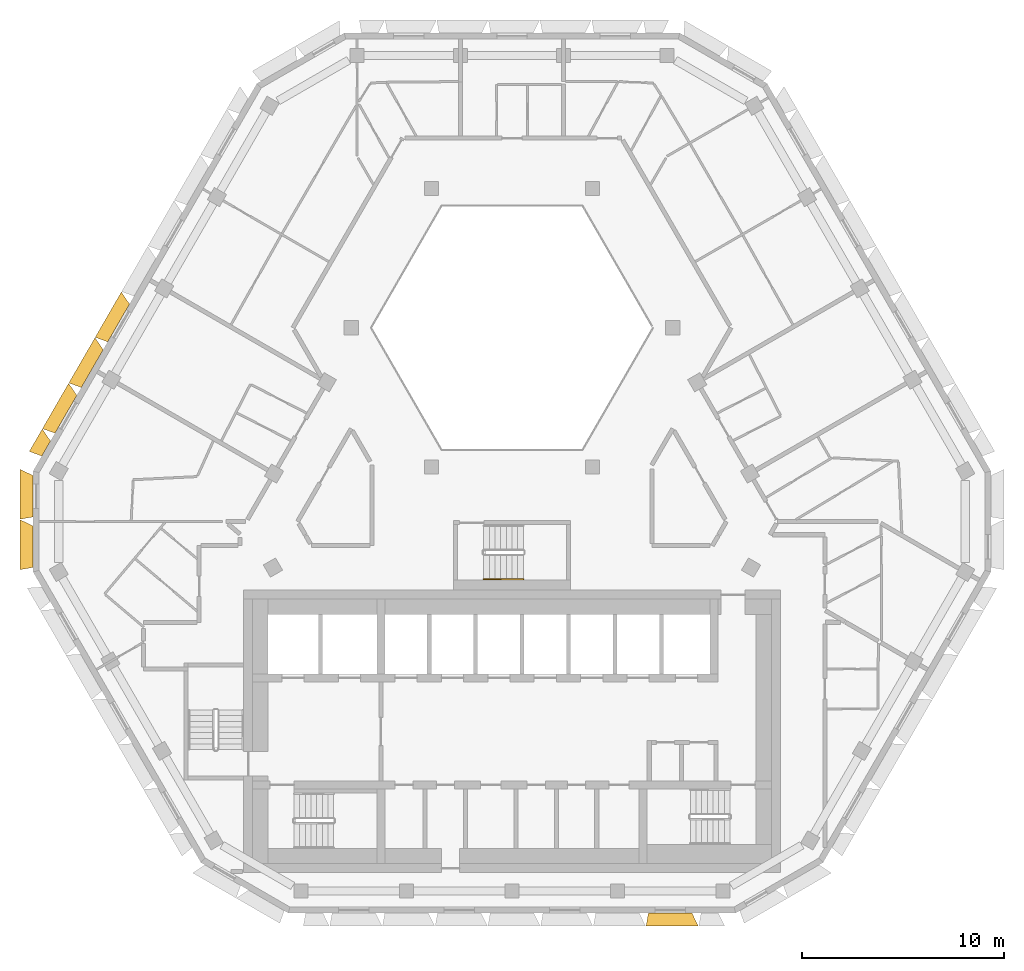
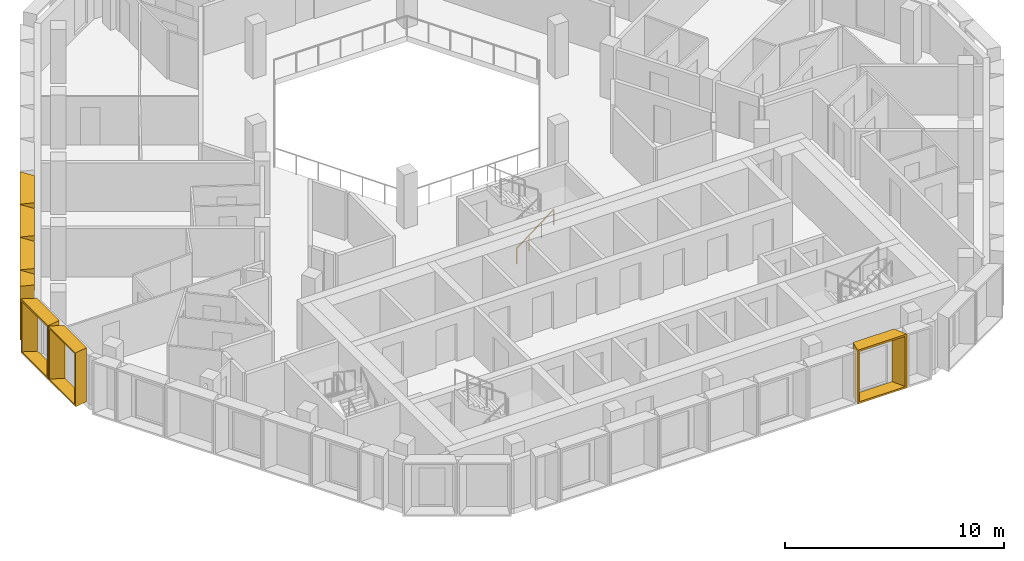
# One storey, part 12 of 15: 7 shading devices, 1 railing.
"""IFC4 building model written with IfcOpenShell, lengths in metres."""

from ifc_helpers import new_model, entity, si_unit, direction, frame, origin, origin_2d, place, context, subcontext, project, spatial, rectangle, extrude, source, transform, mapped, material, type_object, type_shapes, element, save


model = new_model("IFC4")

# Units and contexts
model_context = context("Model", 3, precision=1e-05, world=origin(), true_north=direction((0.0, 1.0)))
body_context = subcontext(model_context, "Body", "Model", "MODEL_VIEW")
ifc_project = project(units=[si_unit("LENGTHUNIT", "METRE"), si_unit("AREAUNIT", "SQUARE_METRE"), si_unit("VOLUMEUNIT", "CUBIC_METRE"), si_unit("PLANEANGLEUNIT", "RADIAN"), si_unit("MASSUNIT", "GRAM", prefix="KILO")], contexts=[model_context])

# Site, building, storey
site_placement = place(None, origin())
site = spatial("IfcSite", under=ifc_project, at=site_placement, CompositionType="ELEMENT")
building_placement = place(site_placement, origin())
building = spatial("IfcBuilding", under=site, at=building_placement, Name="Beryl Residences", CompositionType="ELEMENT")
storey_placement = place(building_placement, frame((0.0, 0.0, 205.800048828125)))
storey = spatial("IfcBuildingStorey", under=building, at=storey_placement, Name="L63", CompositionType="ELEMENT", Elevation=205.800048828125)

# Shading devices
ifc_material_1 = material(Name="Aluminium pale anodised", Category="aluminium")
shading_device_type_1 = type_object("IfcShadingDeviceType", Name="FR131-65B OUTER SKIN frame 650 mm deep, splay 26/10 deg, 1310 x 3000 mm cell", PredefinedType="USERDEFINED", material=ifc_material_1)
cartesian_point_1 = entity("IfcCartesianPoint", [-0.428955078125, 0.0])
cartesian_point_2 = entity("IfcCartesianPoint", [-0.340087890625, 0.10009765625])
cartesian_point_3 = entity("IfcCartesianPoint", [-0.74609375, 0.0])
cartesian_point_4 = entity("IfcCartesianPoint", [-0.656982421875, 0.10009765625])
shared_shape_1 = source(origin(), body_context, "Body", "SweptSolid", [
    entity("IfcExtrudedAreaSolidTapered", entity("IfcArbitraryProfileDefWithVoids", "AREA", None, entity("IfcPolyline", [cartesian_point_1, entity("IfcCartesianPoint", [0.428955078125, 0.0]), entity("IfcCartesianPoint", [0.428955078125, 3.0]), entity("IfcCartesianPoint", [-0.428955078125, 3.0]), cartesian_point_1]), [entity("IfcPolyline", [cartesian_point_2, entity("IfcCartesianPoint", [0.34765625, 0.10009765625]), entity("IfcCartesianPoint", [0.34765625, 2.89990234375]), entity("IfcCartesianPoint", [-0.340087890625, 2.89990234375]), cartesian_point_2])]), entity("IfcAxis2Placement3D", entity("IfcCartesianPoint", [0.0, 0.0, 0.0]), entity("IfcDirection", [0.0, 1.0, 0.0]), entity("IfcDirection", [-1.0, 0.0, 0.0])), entity("IfcDirection", [0.0, 0.0, 1.0]), 0.64990234375, entity("IfcArbitraryProfileDefWithVoids", "AREA", None, entity("IfcPolyline", [cartesian_point_3, entity("IfcCartesianPoint", [0.543701171875, 0.0]), entity("IfcCartesianPoint", [0.543701171875, 3.0]), entity("IfcCartesianPoint", [-0.74609375, 3.0]), cartesian_point_3]), [entity("IfcPolyline", [cartesian_point_4, entity("IfcCartesianPoint", [0.46240234375, 0.10009765625]), entity("IfcCartesianPoint", [0.46240234375, 2.89990234375]), entity("IfcCartesianPoint", [-0.656982421875, 2.89990234375]), cartesian_point_4])])),
])
type_shapes(shading_device_type_1, [shared_shape_1])
shading_device_1_placement = place(storey_placement, frame((-23.083984375, 2.01611328125, 0.0), z_axis=(0.0, 0.0, 1.0), x_axis=(0.5, 0.866025403784, 0.0)))
element("IfcShadingDevice", 1, at=shading_device_1_placement, inside=storey, type_object=shading_device_type_1, Name="FR131-65B frame L63 NW 9", ObjectType="OUTER SKIN", PredefinedType="USERDEFINED", context=body_context, shape_type="MappedRepresentation", body=[
    mapped(shared_shape_1, transform((0.0, 0.0, 0.0))),
])
ifc_material_2 = material(Name="Aluminium pale anodised", Category="aluminium")
shading_device_type_2 = type_object("IfcShadingDeviceType", Name="FR250-65B OUTER SKIN frame 650 mm deep, splay 26/10 deg, 2500 x 3000 mm cell", PredefinedType="USERDEFINED", material=ifc_material_2)
cartesian_point_5 = entity("IfcCartesianPoint", [-1.02392578125, 0.0])
cartesian_point_6 = entity("IfcCartesianPoint", [-0.93505859375, 0.10009765625])
cartesian_point_7 = entity("IfcCartesianPoint", [-1.341064453125, 0.0])
cartesian_point_8 = entity("IfcCartesianPoint", [-1.251953125, 0.10009765625])
shared_shape_2 = source(origin(), body_context, "Body", "SweptSolid", [
    entity("IfcExtrudedAreaSolidTapered", entity("IfcArbitraryProfileDefWithVoids", "AREA", None, entity("IfcPolyline", [cartesian_point_5, entity("IfcCartesianPoint", [1.02392578125, 0.0]), entity("IfcCartesianPoint", [1.02392578125, 3.0]), entity("IfcCartesianPoint", [-1.02392578125, 3.0]), cartesian_point_5]), [entity("IfcPolyline", [cartesian_point_6, entity("IfcCartesianPoint", [0.94287109375, 0.10009765625]), entity("IfcCartesianPoint", [0.94287109375, 2.89990234375]), entity("IfcCartesianPoint", [-0.93505859375, 2.89990234375]), cartesian_point_6])]), entity("IfcAxis2Placement3D", entity("IfcCartesianPoint", [0.0, 0.0, 0.0]), entity("IfcDirection", [0.0, 1.0, 0.0]), entity("IfcDirection", [-1.0, 0.0, 0.0])), entity("IfcDirection", [0.0, 0.0, 1.0]), 0.64990234375, entity("IfcArbitraryProfileDefWithVoids", "AREA", None, entity("IfcPolyline", [cartesian_point_7, entity("IfcCartesianPoint", [1.138671875, 0.0]), entity("IfcCartesianPoint", [1.138671875, 3.0]), entity("IfcCartesianPoint", [-1.341064453125, 3.0]), cartesian_point_7]), [entity("IfcPolyline", [cartesian_point_8, entity("IfcCartesianPoint", [1.057373046875, 0.10009765625]), entity("IfcCartesianPoint", [1.057373046875, 2.89990234375]), entity("IfcCartesianPoint", [-1.251953125, 2.89990234375]), cartesian_point_8])])),
])
type_shapes(shading_device_type_2, [shared_shape_2])
for number, where, z_axis, x_axis, name in (
    (2, (-23.72900390625, -0.35009765625, 0.0), (0.0, 0.0, 1.0), (0.0, 1.0, 0.0), "FR250-65B frame L63 NW-SW 1"),
    (3, (-23.72900390625, -2.85009765625, 0.0), (0.0, 0.0, 1.0), (0.0, 1.0, 0.0), "FR250-65B frame L63 NW-SW 2"),
):
    element("IfcShadingDevice", number, at=place(storey_placement, frame(where, z_axis=z_axis, x_axis=x_axis)), inside=storey, type_object=shading_device_type_2, Name=name, ObjectType="OUTER SKIN", PredefinedType="USERDEFINED", context=body_context, shape_type="MappedRepresentation", body=[
        mapped(shared_shape_2, transform((0.0, 0.0, 0.0))),
    ])
ifc_material_3 = material(Name="Aluminium pale anodised", Category="aluminium")
shading_device_type_3 = type_object("IfcShadingDeviceType", Name="FR261-65B OUTER SKIN frame 650 mm deep, splay 26/10 deg, 2610 x 3000 mm cell", PredefinedType="USERDEFINED", material=ifc_material_3)
cartesian_point_9 = entity("IfcCartesianPoint", [-1.0791015625, 0.0])
cartesian_point_10 = entity("IfcCartesianPoint", [-0.989990234375, 0.10009765625])
cartesian_point_11 = entity("IfcCartesianPoint", [-1.39599609375, 0.0])
cartesian_point_12 = entity("IfcCartesianPoint", [-1.30712890625, 0.10009765625])
shared_shape_3 = source(origin(), body_context, "Body", "SweptSolid", [
    entity("IfcExtrudedAreaSolidTapered", entity("IfcArbitraryProfileDefWithVoids", "AREA", None, entity("IfcPolyline", [cartesian_point_9, entity("IfcCartesianPoint", [1.0791015625, 0.0]), entity("IfcCartesianPoint", [1.0791015625, 3.0]), entity("IfcCartesianPoint", [-1.0791015625, 3.0]), cartesian_point_9]), [entity("IfcPolyline", [cartesian_point_10, entity("IfcCartesianPoint", [0.997802734375, 0.10009765625]), entity("IfcCartesianPoint", [0.997802734375, 2.89990234375]), entity("IfcCartesianPoint", [-0.989990234375, 2.89990234375]), cartesian_point_10])]), entity("IfcAxis2Placement3D", entity("IfcCartesianPoint", [0.0, 0.0, 0.0]), entity("IfcDirection", [0.0, 1.0, 0.0]), entity("IfcDirection", [-1.0, 0.0, 0.0])), entity("IfcDirection", [0.0, 0.0, 1.0]), 0.64990234375, entity("IfcArbitraryProfileDefWithVoids", "AREA", None, entity("IfcPolyline", [cartesian_point_11, entity("IfcCartesianPoint", [1.193603515625, 0.0]), entity("IfcCartesianPoint", [1.193603515625, 3.0]), entity("IfcCartesianPoint", [-1.39599609375, 3.0]), cartesian_point_11]), [entity("IfcPolyline", [cartesian_point_12, entity("IfcCartesianPoint", [1.1123046875, 0.10009765625]), entity("IfcCartesianPoint", [1.1123046875, 2.89990234375]), entity("IfcCartesianPoint", [-1.30712890625, 2.89990234375]), cartesian_point_12])])),
])
type_shapes(shading_device_type_3, [shared_shape_3])
for number, where, z_axis, x_axis, name in (
    (4, (-19.491943359375, 8.237060546875, 0.0), (0.0, 0.0, 1.0), (0.5, 0.866025403784, 0.0), "FR261-65B frame L63 NW 6"),
    (5, (-20.798095703125, 5.97509765625, 0.0), (0.0, 0.0, 1.0), (0.5, 0.866025403784, 0.0), "FR261-65B frame L63 NW 7"),
    (6, (-22.10498046875, 3.7119140625, 0.0), (0.0, 0.0, 1.0), (0.5, 0.866025403784, 0.0), "FR261-65B frame L63 NW 8"),
):
    element("IfcShadingDevice", number, at=place(storey_placement, frame(where, z_axis=z_axis, x_axis=x_axis)), inside=storey, type_object=shading_device_type_3, Name=name, ObjectType="OUTER SKIN", PredefinedType="USERDEFINED", context=body_context, shape_type="MappedRepresentation", body=[
        mapped(shared_shape_3, transform((0.0, 0.0, 0.0))),
    ])
ifc_material_4 = material(Name="Aluminium pale anodised", Category="aluminium")
shading_device_type_4 = type_object("IfcShadingDeviceType", Name="FR261-65C OUTER SKIN frame 650 mm deep, splay 10/26 deg, 2610 x 3000 mm cell", PredefinedType="USERDEFINED", material=ifc_material_4)
cartesian_point_13 = entity("IfcCartesianPoint", [-1.0791015625, 0.0])
cartesian_point_14 = entity("IfcCartesianPoint", [-0.997802734375, 0.10009765625])
cartesian_point_15 = entity("IfcCartesianPoint", [-1.193603515625, 0.0])
cartesian_point_16 = entity("IfcCartesianPoint", [-1.1123046875, 0.10009765625])
shared_shape_4 = source(origin(), body_context, "Body", "SweptSolid", [
    entity("IfcExtrudedAreaSolidTapered", entity("IfcArbitraryProfileDefWithVoids", "AREA", None, entity("IfcPolyline", [cartesian_point_13, entity("IfcCartesianPoint", [1.0791015625, 0.0]), entity("IfcCartesianPoint", [1.0791015625, 3.0]), entity("IfcCartesianPoint", [-1.0791015625, 3.0]), cartesian_point_13]), [entity("IfcPolyline", [cartesian_point_14, entity("IfcCartesianPoint", [0.989990234375, 0.10009765625]), entity("IfcCartesianPoint", [0.989990234375, 2.89990234375]), entity("IfcCartesianPoint", [-0.997802734375, 2.89990234375]), cartesian_point_14])]), entity("IfcAxis2Placement3D", entity("IfcCartesianPoint", [0.0, 0.0, 0.0]), entity("IfcDirection", [0.0, 1.0, 0.0]), entity("IfcDirection", [-1.0, 0.0, 0.0])), entity("IfcDirection", [0.0, 0.0, 1.0]), 0.64990234375, entity("IfcArbitraryProfileDefWithVoids", "AREA", None, entity("IfcPolyline", [cartesian_point_15, entity("IfcCartesianPoint", [1.39599609375, 0.0]), entity("IfcCartesianPoint", [1.39599609375, 3.0]), entity("IfcCartesianPoint", [-1.193603515625, 3.0]), cartesian_point_15]), [entity("IfcPolyline", [cartesian_point_16, entity("IfcCartesianPoint", [1.30712890625, 0.10009765625]), entity("IfcCartesianPoint", [1.30712890625, 2.89990234375]), entity("IfcCartesianPoint", [-1.1123046875, 2.89990234375]), cartesian_point_16])])),
])
type_shapes(shading_device_type_4, [shared_shape_4])
shading_device_2_placement = place(storey_placement, frame((7.8369140625, -21.0, 0.0), z_axis=(0.0, 0.0, 1.0), x_axis=(-1.0, 0.0, 0.0)))
element("IfcShadingDevice", 7, at=shading_device_2_placement, inside=storey, type_object=shading_device_type_4, Name="FR261-65C frame L63 S 8", ObjectType="OUTER SKIN", PredefinedType="USERDEFINED", context=body_context, shape_type="MappedRepresentation", body=[
    mapped(shared_shape_4, transform((0.0, 0.0, 0.0))),
])

# Railing
ifc_material_5 = material(Name="Stainless steel handrail", Category="steel")
railing_type = type_object("IfcRailingType", Name="SRL1 stair handrail 900 mm", PredefinedType="HANDRAIL", material=ifc_material_5)
railing_placement = place(storey_placement, frame((-1.39990234375, -4.449951171875, 0.1875)))
element("IfcRailing", 8, at=railing_placement, inside=storey, type_object=railing_type, Name="L63 ST-4 stair handrail 1", PredefinedType="HANDRAIL", context=body_context, shape_type="SweptSolid", body=[
    extrude(rectangle(XDim=0.048095703125, YDim=0.048095703125, at=origin_2d()), frame((0.0, 0.0, 0.8759765625), z_axis=(0.794121922505, 0.0, 0.607758481798), x_axis=(0.0, 1.0, 0.0)), (0.0, 0.0, 1.0), 2.468017578125),
    extrude(rectangle(XDim=0.0419921875, YDim=0.0419921875, at=origin_2d()), origin(), (0.0, 0.0, 1.0), 0.851806640625),
    extrude(rectangle(XDim=0.0419921875, YDim=0.0419921875, at=origin_2d()), frame((0.6533203125, 0.0, 0.5)), (0.0, 0.0, 1.0), 0.851806640625),
    extrude(rectangle(XDim=0.0419921875, YDim=0.0419921875, at=origin_2d()), frame((1.306640625, 0.0, 1.0)), (0.0, 0.0, 1.0), 0.851806640625),
    extrude(rectangle(XDim=0.0419921875, YDim=0.0419921875, at=origin_2d()), frame((1.9599609375, 0.0, 1.5)), (0.0, 0.0, 1.0), 0.851806640625),
])

save(model, "model.ifc")
